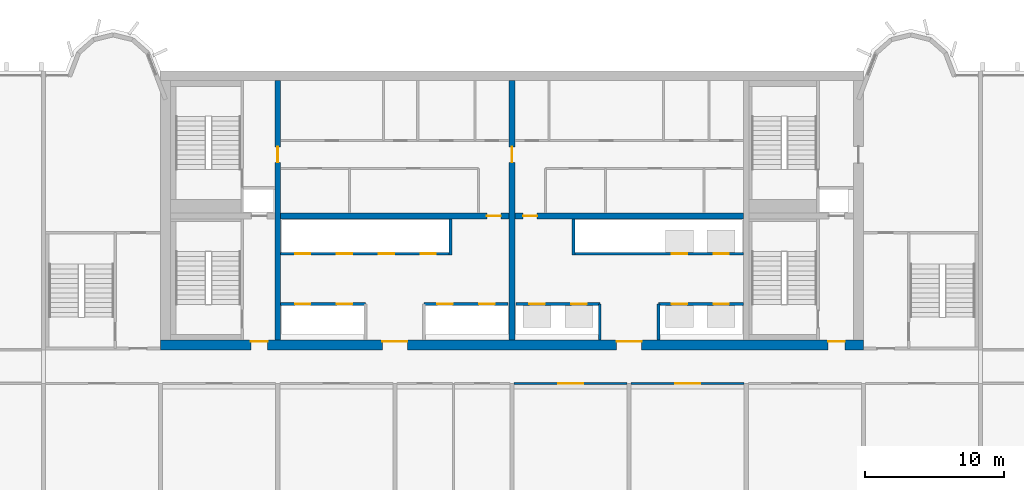
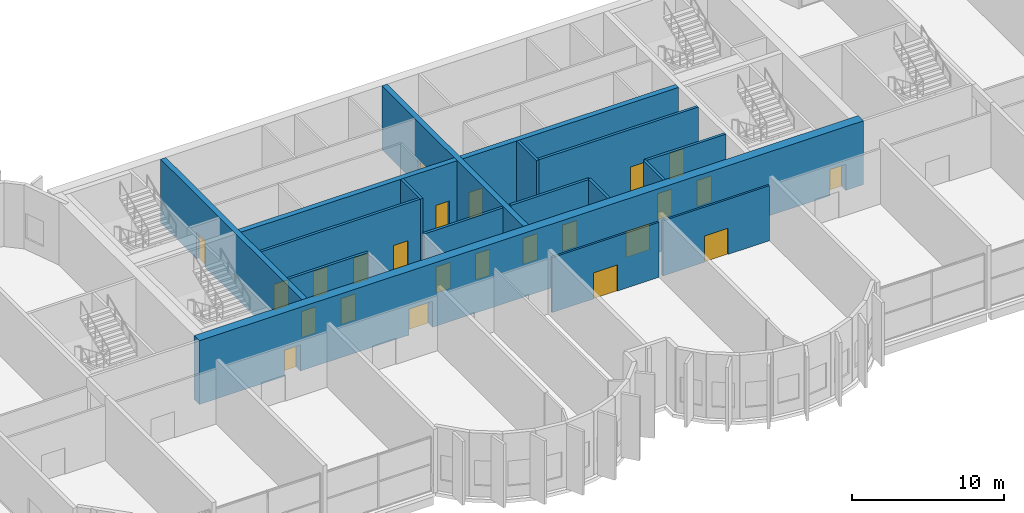
# One storey, part 12 of 19: 24 doors, 17 walls, 24 openings.
"""IFC4 building model written with IfcOpenShell, lengths in metres."""

from ifc_helpers import new_model, si_unit, direction, frame, frame_2d, origin, place, context, subcontext, project, spatial, rectangle, extrude, source, transform, mapped, material, layer, layer_set, type_object, element, fill, save


model = new_model("IFC4")

# Units and contexts
model_context = context("Model", 3, precision=1e-05, world=origin(), true_north=direction((0.0, 1.0)))
body_context = subcontext(model_context, "Body", "Model", "MODEL_VIEW")
ifc_project = project(units=[si_unit("LENGTHUNIT", "METRE"), si_unit("AREAUNIT", "SQUARE_METRE"), si_unit("VOLUMEUNIT", "CUBIC_METRE"), si_unit("PLANEANGLEUNIT", "RADIAN"), si_unit("MASSUNIT", "GRAM", prefix="KILO")], contexts=[model_context])

# Site, building, storey
site_placement = place(None, origin())
site = spatial("IfcSite", under=ifc_project, at=site_placement, CompositionType="ELEMENT")
building_placement = place(site_placement, origin())
building = spatial("IfcBuilding", under=site, at=building_placement, Name="Vanashikhar Sky Hotel", CompositionType="ELEMENT")
storey_placement = place(building_placement, frame((0.0, 0.0, 146.199951171875)))
storey = spatial("IfcBuildingStorey", under=building, at=storey_placement, Name="L35", CompositionType="ELEMENT", Elevation=146.199951171875)

# Wall, opening, door
ifc_material_1 = material(Name="Concrete M60", Category="concrete")
ifc_layer_1 = layer(ifc_material_1, 0.39990234375)
ifc_layer_set_1 = layer_set([ifc_layer_1], Name="RC core inner wall 400 Concrete M60")
wall_type_1 = type_object("IfcWallType", Name="RC core inner wall 400 Concrete M60", PredefinedType="SHEAR", material=ifc_layer_set_1)
shared_shape_1 = source(origin(), body_context, "Body", "SweptSolid", [
    extrude(rectangle(XDim=18.60009765625, YDim=0.39990234375, at=frame_2d((9.300048828125, 0.0))), origin(), (0.0, 0.0, 1.0), 5.1201171875),
])
wall_1_placement = place(storey_placement, frame((33.60009765625, 22.699951171875, 0.0), z_axis=(0.0, 0.0, 1.0), x_axis=(0.0, 1.0, 0.0)))
wall_1 = element("IfcWall", 1, at=wall_1_placement, inside=storey, type_object=wall_type_1, Name="KW-L35-KX1", PredefinedType="SHEAR", context=body_context, shape_type="MappedRepresentation", body=[
    mapped(shared_shape_1, transform((0.0, 0.0, 0.0), scale=1.0)),
])
shared_shape_2 = source(origin(), body_context, "Body", "SweptSolid", [
    extrude(rectangle(XDim=1.10009765625, YDim=2.10009765625, at=frame_2d((0.550048828125, 1.050048828125))), frame((0.0, 0.2099609375, 0.0), z_axis=(0.0, -1.0, 0.0), x_axis=(1.0, 0.0, 0.0)), (0.0, 0.0, 1.0), 0.419921875),
])
opening_1_placement = place(wall_1_placement, frame((12.75, 0.0, 0.0)))
opening_1 = element("IfcOpeningElement", 2, at=opening_1_placement, cuts=wall_1, Name="Opening DC-4-C", PredefinedType="OPENING", context=body_context, shape_type="MappedRepresentation", body=[
    mapped(shared_shape_2, transform((0.0, 0.0, 0.0), scale=1.0)),
])
ifc_material_2 = material(Name="Steel", Category="steel")
door_type_1 = type_object("IfcDoorType", Name="Service door 1100 FD60", OperationType="NOTDEFINED", PredefinedType="DOOR", material=ifc_material_2)
shared_shape_3 = source(origin(), body_context, "Body", "SweptSolid", [
    extrude(rectangle(XDim=1.10009765625, YDim=2.10009765625, at=frame_2d((0.550048828125, 1.050048828125))), frame((0.0, 0.02490234375, 0.0), z_axis=(0.0, -1.0, 0.0), x_axis=(1.0, 0.0, 0.0)), (0.0, 0.0, 1.0), 0.050048828125),
])
door_1_placement = place(opening_1_placement, origin())
door_1 = element("IfcDoor", 3, at=door_1_placement, inside=storey, type_object=door_type_1, Name="Service door 1100 FD60", OperationType="SINGLE_SWING_LEFT", OverallHeight=2.10009765625, OverallWidth=1.10009765625, PredefinedType="DOOR", context=body_context, shape_type="MappedRepresentation", body=[
    mapped(shared_shape_3, transform((0.0, 0.0, 0.0), scale=1.0)),
])
fill(opening_1, door_1)

wall_2_placement = place(storey_placement, frame((50.39990234375, 22.699951171875, 0.0), z_axis=(0.0, 0.0, 1.0), x_axis=(0.0, 1.0, 0.0)))
wall_2 = element("IfcWall", 4, at=wall_2_placement, inside=storey, type_object=wall_type_1, Name="KW-L35-KX2", PredefinedType="SHEAR", context=body_context, shape_type="MappedRepresentation", body=[
    mapped(shared_shape_1, transform((0.0, 0.0, 0.0), scale=1.0)),
])
opening_2_placement = place(wall_2_placement, frame((12.75, 0.0, 0.0)))
opening_2 = element("IfcOpeningElement", 5, at=opening_2_placement, cuts=wall_2, Name="Opening DC-4-C", PredefinedType="OPENING", context=body_context, shape_type="MappedRepresentation", body=[
    mapped(shared_shape_2, transform((0.0, 0.0, 0.0), scale=1.0)),
])
door_2_placement = place(opening_2_placement, origin())
door_2 = element("IfcDoor", 6, at=door_2_placement, inside=storey, type_object=door_type_1, Name="Service door 1100 FD60", OperationType="SINGLE_SWING_RIGHT", OverallHeight=2.10009765625, OverallWidth=1.10009765625, PredefinedType="DOOR", context=body_context, shape_type="MappedRepresentation", body=[
    mapped(shared_shape_3, transform((0.0, 0.0, 0.0), scale=1.0)),
])
fill(opening_2, door_2)

# Wall, openings, doors
ifc_layer_2 = layer(ifc_material_1, 0.699951171875)
ifc_layer_set_2 = layer_set([ifc_layer_2], Name="RC core shell wall 700 Concrete M60")
wall_type_2 = type_object("IfcWallType", Name="RC core shell wall 700 Concrete M60", PredefinedType="SHEAR", material=ifc_layer_set_2)
shared_shape_4 = source(origin(), body_context, "Body", "SweptSolid", [
    extrude(rectangle(XDim=50.400146484375, YDim=0.699951171875, at=frame_2d((25.2001953125, 0.0))), origin(), (0.0, 0.0, 1.0), 5.1201171875),
])
wall_3_placement = place(storey_placement, frame((25.199951171875, 22.35009765625, 0.0), z_axis=(0.0, 0.0, 1.0), x_axis=(1.0, 0.0, 0.0)))
wall_3 = element("IfcWall", 7, at=wall_3_placement, inside=storey, type_object=wall_type_2, Name="KW-L35-KS", PredefinedType="SHEAR", context=body_context, shape_type="MappedRepresentation", body=[
    mapped(shared_shape_4, transform((0.0, 0.0, 0.0), scale=1.0)),
])
shared_shape_5 = source(origin(), body_context, "Body", "SweptSolid", [
    extrude(rectangle(XDim=1.800048828125, YDim=2.10009765625, at=frame_2d((0.89990234375, 1.050048828125))), frame((0.0, 0.35986328125, 0.0), z_axis=(0.0, -1.0, 0.0), x_axis=(1.0, 0.0, 0.0)), (0.0, 0.0, 1.0), 0.719970703125),
])
opening_3_placement = place(wall_3_placement, frame((15.89990234375, 0.0, 0.0)))
opening_3 = element("IfcOpeningElement", 8, at=opening_3_placement, cuts=wall_3, Name="Opening DC-3-A", PredefinedType="OPENING", context=body_context, shape_type="MappedRepresentation", body=[
    mapped(shared_shape_5, transform((0.0, 0.0, 0.0), scale=1.0)),
])
opening_4_placement = place(wall_3_placement, frame((32.699951171875, 0.0, 0.0)))
opening_4 = element("IfcOpeningElement", 9, at=opening_4_placement, cuts=wall_3, Name="Opening DC-3-A", PredefinedType="OPENING", context=body_context, shape_type="MappedRepresentation", body=[
    mapped(shared_shape_5, transform((0.0, 0.0, 0.0), scale=1.0)),
])
shared_shape_6 = source(origin(), body_context, "Body", "SweptSolid", [
    extrude(rectangle(XDim=1.199951171875, YDim=2.10009765625, at=frame_2d((0.60009765625, 1.050048828125))), frame((0.0, 0.35986328125, 0.0), z_axis=(0.0, -1.0, 0.0), x_axis=(1.0, 0.0, 0.0)), (0.0, 0.0, 1.0), 0.719970703125),
])
opening_5_placement = place(wall_3_placement, frame((6.47509765625, 0.0, 0.0)))
opening_5 = element("IfcOpeningElement", 10, at=opening_5_placement, cuts=wall_3, Name="Opening DC-2", PredefinedType="OPENING", context=body_context, shape_type="MappedRepresentation", body=[
    mapped(shared_shape_6, transform((0.0, 0.0, 0.0), scale=1.0)),
])
opening_6_placement = place(wall_3_placement, frame((47.875, 0.0, 0.0)))
opening_6 = element("IfcOpeningElement", 11, at=opening_6_placement, cuts=wall_3, Name="Opening DC-2", PredefinedType="OPENING", context=body_context, shape_type="MappedRepresentation", body=[
    mapped(shared_shape_6, transform((0.0, 0.0, 0.0), scale=1.0)),
])
ifc_material_3 = material(Name="Glass", Category="glass")
door_type_2 = type_object("IfcDoorType", Name="Lift lobby entrance door 1800 FD30S", OperationType="NOTDEFINED", PredefinedType="DOOR", material=ifc_material_3)
shared_shape_7 = source(origin(), body_context, "Body", "SweptSolid", [
    extrude(rectangle(XDim=1.800048828125, YDim=2.10009765625, at=frame_2d((0.89990234375, 1.050048828125))), frame((0.0, 0.27490234375, 0.0), z_axis=(0.0, -1.0, 0.0), x_axis=(1.0, 0.0, 0.0)), (0.0, 0.0, 1.0), 0.050048828125),
])
door_3_placement = place(opening_3_placement, origin())
door_3 = element("IfcDoor", 12, at=door_3_placement, inside=storey, type_object=door_type_2, Name="Lift lobby entrance door 1800 FD30S", OperationType="DOUBLE_DOOR_SINGLE_SWING", OverallHeight=2.10009765625, OverallWidth=1.800048828125, PredefinedType="DOOR", context=body_context, shape_type="MappedRepresentation", body=[
    mapped(shared_shape_7, transform((0.0, 0.0, 0.0), scale=1.0)),
])
fill(opening_3, door_3)
door_4_placement = place(opening_4_placement, origin())
door_4 = element("IfcDoor", 13, at=door_4_placement, inside=storey, type_object=door_type_2, Name="Lift lobby entrance door 1800 FD30S", OperationType="DOUBLE_DOOR_SINGLE_SWING", OverallHeight=2.10009765625, OverallWidth=1.800048828125, PredefinedType="DOOR", context=body_context, shape_type="MappedRepresentation", body=[
    mapped(shared_shape_7, transform((0.0, 0.0, 0.0), scale=1.0)),
])
fill(opening_4, door_4)
door_type_3 = type_object("IfcDoorType", Name="Firefighting lobby door 1200 FD120", OperationType="NOTDEFINED", PredefinedType="DOOR", material=ifc_material_2)
shared_shape_8 = source(origin(), body_context, "Body", "SweptSolid", [
    extrude(rectangle(XDim=1.199951171875, YDim=2.10009765625, at=frame_2d((0.60009765625, 1.050048828125))), frame((0.0, 0.27490234375, 0.0), z_axis=(0.0, -1.0, 0.0), x_axis=(1.0, 0.0, 0.0)), (0.0, 0.0, 1.0), 0.050048828125),
])
door_5_placement = place(opening_5_placement, origin())
door_5 = element("IfcDoor", 14, at=door_5_placement, inside=storey, type_object=door_type_3, Name="Firefighting lobby door 1200 FD120", OperationType="SINGLE_SWING_RIGHT", OverallHeight=2.10009765625, OverallWidth=1.199951171875, PredefinedType="DOOR", context=body_context, shape_type="MappedRepresentation", body=[
    mapped(shared_shape_8, transform((0.0, 0.0, 0.0), scale=1.0)),
])
fill(opening_5, door_5)
door_6_placement = place(opening_6_placement, origin())
door_6 = element("IfcDoor", 15, at=door_6_placement, inside=storey, type_object=door_type_3, Name="Firefighting lobby door 1200 FD120", OperationType="SINGLE_SWING_RIGHT", OverallHeight=2.10009765625, OverallWidth=1.199951171875, PredefinedType="DOOR", context=body_context, shape_type="MappedRepresentation", body=[
    mapped(shared_shape_8, transform((0.0, 0.0, 0.0), scale=1.0)),
])
fill(opening_6, door_6)

# Wall, opening, door
shared_shape_9 = source(origin(), body_context, "Body", "SweptSolid", [
    extrude(rectangle(XDim=16.39990234375, YDim=0.39990234375, at=frame_2d((8.199951171875, 0.0))), origin(), (0.0, 0.0, 1.0), 5.1201171875),
])
wall_4_placement = place(storey_placement, frame((33.800048828125, 31.60009765625, 0.0), z_axis=(0.0, 0.0, 1.0), x_axis=(1.0, 0.0, 0.0)))
wall_4 = element("IfcWall", 16, at=wall_4_placement, inside=storey, type_object=wall_type_1, Name="KW-L35-KY2", PredefinedType="SHEAR", context=body_context, shape_type="MappedRepresentation", body=[
    mapped(shared_shape_9, transform((0.0, 0.0, 0.0), scale=1.0)),
])
shared_shape_10 = source(origin(), body_context, "Body", "SweptSolid", [
    extrude(rectangle(XDim=1.0, YDim=2.10009765625, at=frame_2d((0.5, 1.050048828125))), frame((0.0, 0.2099609375, 0.0), z_axis=(0.0, -1.0, 0.0), x_axis=(1.0, 0.0, 0.0)), (0.0, 0.0, 1.0), 0.419921875),
])
opening_7_placement = place(wall_4_placement, frame((14.800048828125, 0.0, 0.0)))
opening_7 = element("IfcOpeningElement", 17, at=opening_7_placement, cuts=wall_4, Name="Opening DC-4", PredefinedType="OPENING", context=body_context, shape_type="MappedRepresentation", body=[
    mapped(shared_shape_10, transform((0.0, 0.0, 0.0), scale=1.0)),
])
door_type_4 = type_object("IfcDoorType", Name="Service door 1000 FD60", OperationType="NOTDEFINED", PredefinedType="DOOR", material=ifc_material_2)
shared_shape_11 = source(origin(), body_context, "Body", "SweptSolid", [
    extrude(rectangle(XDim=1.0, YDim=2.10009765625, at=frame_2d((0.5, 1.050048828125))), frame((0.0, 0.02490234375, 0.0), z_axis=(0.0, -1.0, 0.0), x_axis=(1.0, 0.0, 0.0)), (0.0, 0.0, 1.0), 0.050048828125),
])
door_7_placement = place(opening_7_placement, origin())
door_7 = element("IfcDoor", 18, at=door_7_placement, inside=storey, type_object=door_type_4, Name="Service door 1000 FD60", OperationType="SINGLE_SWING_LEFT", OverallHeight=2.10009765625, OverallWidth=1.0, PredefinedType="DOOR", context=body_context, shape_type="MappedRepresentation", body=[
    mapped(shared_shape_11, transform((0.0, 0.0, 0.0), scale=1.0)),
])
fill(opening_7, door_7)

wall_5_placement = place(storey_placement, frame((50.60009765625, 31.60009765625, 0.0), z_axis=(0.0, 0.0, 1.0), x_axis=(1.0, 0.0, 0.0)))
wall_5 = element("IfcWall", 19, at=wall_5_placement, inside=storey, type_object=wall_type_1, Name="KW-L35-KY3", PredefinedType="SHEAR", context=body_context, shape_type="MappedRepresentation", body=[
    mapped(shared_shape_9, transform((0.0, 0.0, 0.0), scale=1.0)),
])
opening_8_placement = place(wall_5_placement, frame((0.60009765625, 0.0, 0.0)))
opening_8 = element("IfcOpeningElement", 20, at=opening_8_placement, cuts=wall_5, Name="Opening DC-4", PredefinedType="OPENING", context=body_context, shape_type="MappedRepresentation", body=[
    mapped(shared_shape_10, transform((0.0, 0.0, 0.0), scale=1.0)),
])
door_8_placement = place(opening_8_placement, origin())
door_8 = element("IfcDoor", 21, at=door_8_placement, inside=storey, type_object=door_type_4, Name="Service door 1000 FD60", OperationType="SINGLE_SWING_LEFT", OverallHeight=2.10009765625, OverallWidth=1.0, PredefinedType="DOOR", context=body_context, shape_type="MappedRepresentation", body=[
    mapped(shared_shape_11, transform((0.0, 0.0, 0.0), scale=1.0)),
])
fill(opening_8, door_8)

# Wall, openings, doors
ifc_material_4 = material(Name="Concrete M40", Category="concrete")
ifc_layer_3 = layer(ifc_material_4, 0.199951171875)
ifc_layer_set_3 = layer_set([ifc_layer_3], Name="Shaft wall 200")
wall_type_3 = type_object("IfcWallType", Name="Shaft wall 200", PredefinedType="SOLIDWALL", material=ifc_layer_set_3)
shared_shape_12 = source(origin(), body_context, "Body", "SweptSolid", [
    extrude(rectangle(XDim=6.0, YDim=0.199951171875, at=frame_2d((3.0, 0.0))), origin(), (0.0, 0.0, 1.0), 5.1201171875),
])
wall_6_placement = place(storey_placement, frame((44.10009765625, 25.300048828125, 0.0), z_axis=(0.0, 0.0, 1.0), x_axis=(1.0, 0.0, 0.0)))
wall_6 = element("IfcWall", 22, at=wall_6_placement, inside=storey, type_object=wall_type_3, Name="Shaft wall 200", PredefinedType="SOLIDWALL", context=body_context, shape_type="MappedRepresentation", body=[
    mapped(shared_shape_12, transform((0.0, 0.0, 0.0), scale=1.0)),
])
shared_shape_13 = source(origin(), body_context, "Body", "SweptSolid", [
    extrude(rectangle(XDim=1.10009765625, YDim=2.10009765625, at=frame_2d((0.550048828125, 1.050048828125))), frame((0.0, 0.10986328125, 0.0), z_axis=(0.0, -1.0, 0.0), x_axis=(1.0, 0.0, 0.0)), (0.0, 0.0, 1.0), 0.219970703125),
])
opening_9_placement = place(wall_6_placement, frame((0.949951171875, 0.0, 0.0)))
opening_9 = element("IfcOpeningElement", 23, at=opening_9_placement, cuts=wall_6, Name="Opening LD", PredefinedType="OPENING", context=body_context, shape_type="MappedRepresentation", body=[
    mapped(shared_shape_13, transform((0.0, 0.0, 0.0), scale=1.0)),
])
opening_10_placement = place(wall_6_placement, frame((3.949951171875, 0.0, 0.0)))
opening_10 = element("IfcOpeningElement", 24, at=opening_10_placement, cuts=wall_6, Name="Opening LD", PredefinedType="OPENING", context=body_context, shape_type="MappedRepresentation", body=[
    mapped(shared_shape_13, transform((0.0, 0.0, 0.0), scale=1.0)),
])
ifc_material_5 = material(Name="Stainless steel", Category="steel")
door_type_5 = type_object("IfcDoorType", Name="Lift landing door 1100", OperationType="NOTDEFINED", PredefinedType="DOOR", material=ifc_material_5)
door_9_placement = place(opening_9_placement, origin())
door_9 = element("IfcDoor", 25, at=door_9_placement, inside=storey, type_object=door_type_5, Name="Lift landing door 1100", OperationType="SLIDING_TO_LEFT", OverallHeight=2.10009765625, OverallWidth=1.10009765625, PredefinedType="DOOR", context=body_context, shape_type="MappedRepresentation", body=[
    mapped(shared_shape_3, transform((0.0, 0.0, 0.0), scale=1.0)),
])
fill(opening_9, door_9)
door_10_placement = place(opening_10_placement, origin())
door_10 = element("IfcDoor", 26, at=door_10_placement, inside=storey, type_object=door_type_5, Name="Lift landing door 1100", OperationType="SLIDING_TO_RIGHT", OverallHeight=2.10009765625, OverallWidth=1.10009765625, PredefinedType="DOOR", context=body_context, shape_type="MappedRepresentation", body=[
    mapped(shared_shape_3, transform((0.0, 0.0, 0.0), scale=1.0)),
])
fill(opening_10, door_10)

wall_7_placement = place(storey_placement, frame((56.699951171875, 25.300048828125, 0.0), z_axis=(0.0, 0.0, 1.0), x_axis=(-1.0, 0.0, 0.0)))
wall_7 = element("IfcWall", 27, at=wall_7_placement, inside=storey, type_object=wall_type_3, Name="Shaft wall 200", PredefinedType="SOLIDWALL", context=body_context, shape_type="MappedRepresentation", body=[
    mapped(shared_shape_12, transform((0.0, 0.0, 0.0), scale=1.0)),
])
opening_11_placement = place(wall_7_placement, frame((0.949951171875, 0.0, 0.0)))
opening_11 = element("IfcOpeningElement", 28, at=opening_11_placement, cuts=wall_7, Name="Opening LD", PredefinedType="OPENING", context=body_context, shape_type="MappedRepresentation", body=[
    mapped(shared_shape_13, transform((0.0, 0.0, 0.0), scale=1.0)),
])
opening_12_placement = place(wall_7_placement, frame((3.949951171875, 0.0, 0.0)))
opening_12 = element("IfcOpeningElement", 29, at=opening_12_placement, cuts=wall_7, Name="Opening LD", PredefinedType="OPENING", context=body_context, shape_type="MappedRepresentation", body=[
    mapped(shared_shape_13, transform((0.0, 0.0, 0.0), scale=1.0)),
])
door_11_placement = place(opening_11_placement, origin())
door_11 = element("IfcDoor", 30, at=door_11_placement, inside=storey, type_object=door_type_5, Name="Lift landing door 1100", OperationType="SLIDING_TO_LEFT", OverallHeight=2.10009765625, OverallWidth=1.10009765625, PredefinedType="DOOR", context=body_context, shape_type="MappedRepresentation", body=[
    mapped(shared_shape_3, transform((0.0, 0.0, 0.0), scale=1.0)),
])
fill(opening_11, door_11)
door_12_placement = place(opening_12_placement, origin())
door_12 = element("IfcDoor", 31, at=door_12_placement, inside=storey, type_object=door_type_5, Name="Lift landing door 1100", OperationType="SLIDING_TO_RIGHT", OverallHeight=2.10009765625, OverallWidth=1.10009765625, PredefinedType="DOOR", context=body_context, shape_type="MappedRepresentation", body=[
    mapped(shared_shape_3, transform((0.0, 0.0, 0.0), scale=1.0)),
])
fill(opening_12, door_12)

shared_shape_14 = source(origin(), body_context, "Body", "SweptSolid", [
    extrude(rectangle(XDim=6.099853515625, YDim=0.199951171875, at=frame_2d((3.0498046875, 0.0))), origin(), (0.0, 0.0, 1.0), 5.1201171875),
])
wall_8_placement = place(storey_placement, frame((33.800048828125, 25.300048828125, 0.0), z_axis=(0.0, 0.0, 1.0), x_axis=(1.0, 0.0, 0.0)))
wall_8 = element("IfcWall", 32, at=wall_8_placement, inside=storey, type_object=wall_type_3, Name="Shaft wall 200", PredefinedType="SOLIDWALL", context=body_context, shape_type="MappedRepresentation", body=[
    mapped(shared_shape_14, transform((0.0, 0.0, 0.0), scale=1.0)),
])
opening_13_placement = place(wall_8_placement, frame((1.050048828125, 0.0, 0.0)))
opening_13 = element("IfcOpeningElement", 33, at=opening_13_placement, cuts=wall_8, Name="Opening LD", PredefinedType="OPENING", context=body_context, shape_type="MappedRepresentation", body=[
    mapped(shared_shape_13, transform((0.0, 0.0, 0.0), scale=1.0)),
])
opening_14_placement = place(wall_8_placement, frame((4.050048828125, 0.0, 0.0)))
opening_14 = element("IfcOpeningElement", 34, at=opening_14_placement, cuts=wall_8, Name="Opening LD", PredefinedType="OPENING", context=body_context, shape_type="MappedRepresentation", body=[
    mapped(shared_shape_13, transform((0.0, 0.0, 0.0), scale=1.0)),
])
door_13_placement = place(opening_13_placement, origin())
door_13 = element("IfcDoor", 35, at=door_13_placement, inside=storey, type_object=door_type_5, Name="Lift landing door 1100", OperationType="SLIDING_TO_LEFT", OverallHeight=2.10009765625, OverallWidth=1.10009765625, PredefinedType="DOOR", context=body_context, shape_type="MappedRepresentation", body=[
    mapped(shared_shape_3, transform((0.0, 0.0, 0.0), scale=1.0)),
])
fill(opening_13, door_13)
door_14_placement = place(opening_14_placement, origin())
door_14 = element("IfcDoor", 36, at=door_14_placement, inside=storey, type_object=door_type_5, Name="Lift landing door 1100", OperationType="SLIDING_TO_RIGHT", OverallHeight=2.10009765625, OverallWidth=1.10009765625, PredefinedType="DOOR", context=body_context, shape_type="MappedRepresentation", body=[
    mapped(shared_shape_3, transform((0.0, 0.0, 0.0), scale=1.0)),
])
fill(opening_14, door_14)

shared_shape_15 = source(origin(), body_context, "Body", "SweptSolid", [
    extrude(rectangle(XDim=12.099853515625, YDim=0.199951171875, at=frame_2d((6.0498046875, 0.0))), origin(), (0.0, 0.0, 1.0), 5.1201171875),
])
wall_9_placement = place(storey_placement, frame((33.800048828125, 28.89990234375, 0.0), z_axis=(0.0, 0.0, 1.0), x_axis=(1.0, 0.0, 0.0)))
wall_9 = element("IfcWall", 37, at=wall_9_placement, inside=storey, type_object=wall_type_3, Name="Shaft wall 200", PredefinedType="SOLIDWALL", context=body_context, shape_type="MappedRepresentation", body=[
    mapped(shared_shape_15, transform((0.0, 0.0, 0.0), scale=1.0)),
])
opening_15_placement = place(wall_9_placement, frame((1.050048828125, 0.0, 0.0)))
opening_15 = element("IfcOpeningElement", 38, at=opening_15_placement, cuts=wall_9, Name="Opening LD", PredefinedType="OPENING", context=body_context, shape_type="MappedRepresentation", body=[
    mapped(shared_shape_13, transform((0.0, 0.0, 0.0), scale=1.0)),
])
opening_16_placement = place(wall_9_placement, frame((4.050048828125, 0.0, 0.0)))
opening_16 = element("IfcOpeningElement", 39, at=opening_16_placement, cuts=wall_9, Name="Opening LD", PredefinedType="OPENING", context=body_context, shape_type="MappedRepresentation", body=[
    mapped(shared_shape_13, transform((0.0, 0.0, 0.0), scale=1.0)),
])
opening_17_placement = place(wall_9_placement, frame((7.050048828125, 0.0, 0.0)))
opening_17 = element("IfcOpeningElement", 40, at=opening_17_placement, cuts=wall_9, Name="Opening LD", PredefinedType="OPENING", context=body_context, shape_type="MappedRepresentation", body=[
    mapped(shared_shape_13, transform((0.0, 0.0, 0.0), scale=1.0)),
])
opening_18_placement = place(wall_9_placement, frame((10.050048828125, 0.0, 0.0)))
opening_18 = element("IfcOpeningElement", 41, at=opening_18_placement, cuts=wall_9, Name="Opening LD", PredefinedType="OPENING", context=body_context, shape_type="MappedRepresentation", body=[
    mapped(shared_shape_13, transform((0.0, 0.0, 0.0), scale=1.0)),
])
door_15_placement = place(opening_15_placement, origin())
door_15 = element("IfcDoor", 42, at=door_15_placement, inside=storey, type_object=door_type_5, Name="Lift landing door 1100", OperationType="SLIDING_TO_LEFT", OverallHeight=2.10009765625, OverallWidth=1.10009765625, PredefinedType="DOOR", context=body_context, shape_type="MappedRepresentation", body=[
    mapped(shared_shape_3, transform((0.0, 0.0, 0.0), scale=1.0)),
])
fill(opening_15, door_15)
door_16_placement = place(opening_16_placement, origin())
door_16 = element("IfcDoor", 43, at=door_16_placement, inside=storey, type_object=door_type_5, Name="Lift landing door 1100", OperationType="SLIDING_TO_RIGHT", OverallHeight=2.10009765625, OverallWidth=1.10009765625, PredefinedType="DOOR", context=body_context, shape_type="MappedRepresentation", body=[
    mapped(shared_shape_3, transform((0.0, 0.0, 0.0), scale=1.0)),
])
fill(opening_16, door_16)
door_17_placement = place(opening_17_placement, origin())
door_17 = element("IfcDoor", 44, at=door_17_placement, inside=storey, type_object=door_type_5, Name="Lift landing door 1100", OperationType="SLIDING_TO_LEFT", OverallHeight=2.10009765625, OverallWidth=1.10009765625, PredefinedType="DOOR", context=body_context, shape_type="MappedRepresentation", body=[
    mapped(shared_shape_3, transform((0.0, 0.0, 0.0), scale=1.0)),
])
fill(opening_17, door_17)
door_18_placement = place(opening_18_placement, origin())
door_18 = element("IfcDoor", 45, at=door_18_placement, inside=storey, type_object=door_type_5, Name="Lift landing door 1100", OperationType="SLIDING_TO_RIGHT", OverallHeight=2.10009765625, OverallWidth=1.10009765625, PredefinedType="DOOR", context=body_context, shape_type="MappedRepresentation", body=[
    mapped(shared_shape_3, transform((0.0, 0.0, 0.0), scale=1.0)),
])
fill(opening_18, door_18)

# Walls
shared_shape_16 = source(origin(), body_context, "Body", "SweptSolid", [
    extrude(rectangle(XDim=2.60009765625, YDim=0.199951171875, at=frame_2d((1.300048828125, 0.0))), origin(), (0.0, 0.0, 1.0), 5.1201171875),
])
for number, where, z_axis, x_axis, name in (
    (46, (60.89990234375, 22.699951171875, 0.0), (0.0, 0.0, 1.0), (0.0, 1.0, 0.0), "Shaft wall 200"),
    (47, (56.699951171875, 22.699951171875, 0.0), (0.0, 0.0, 1.0), (0.0, 1.0, 0.0), "Shaft wall 200"),
):
    element("IfcWall", number, at=place(storey_placement, frame(where, z_axis=z_axis, x_axis=x_axis)), inside=storey, type_object=wall_type_3, Name=name, PredefinedType="SOLIDWALL", context=body_context, shape_type="MappedRepresentation", body=[
        mapped(shared_shape_16, transform((0.0, 0.0, 0.0), scale=1.0)),
    ])
shared_shape_17 = source(origin(), body_context, "Body", "SweptSolid", [
    extrude(rectangle(XDim=2.599853515625, YDim=0.199951171875, at=frame_2d((1.2998046875, 0.0))), origin(), (0.0, 0.0, 1.0), 5.1201171875),
])
for number, where, z_axis, x_axis, name in (
    (48, (46.0, 28.800048828125, 0.0), (0.0, 0.0, 1.0), (0.0, 1.0, 0.0), "Shaft wall 200"),
    (49, (54.800048828125, 28.800048828125, 0.0), (0.0, 0.0, 1.0), (0.0, 1.0, 0.0), "Shaft wall 200"),
):
    element("IfcWall", number, at=place(storey_placement, frame(where, z_axis=z_axis, x_axis=x_axis)), inside=storey, type_object=wall_type_3, Name=name, PredefinedType="SOLIDWALL", context=body_context, shape_type="MappedRepresentation", body=[
        mapped(shared_shape_17, transform((0.0, 0.0, 0.0), scale=1.0)),
    ])

# Wall, openings, doors
shared_shape_18 = source(origin(), body_context, "Body", "SweptSolid", [
    extrude(rectangle(XDim=6.10009765625, YDim=0.199951171875, at=frame_2d((3.050048828125, 0.0))), origin(), (0.0, 0.0, 1.0), 5.1201171875),
])
wall_10_placement = place(storey_placement, frame((67.0, 25.300048828125, 0.0), z_axis=(0.0, 0.0, 1.0), x_axis=(-1.0, 0.0, 0.0)))
wall_10 = element("IfcWall", 50, at=wall_10_placement, inside=storey, type_object=wall_type_3, Name="Shaft wall 200", PredefinedType="SOLIDWALL", context=body_context, shape_type="MappedRepresentation", body=[
    mapped(shared_shape_18, transform((0.0, 0.0, 0.0), scale=1.0)),
])
opening_19_placement = place(wall_10_placement, frame((1.050048828125, 0.0, 0.0)))
opening_19 = element("IfcOpeningElement", 51, at=opening_19_placement, cuts=wall_10, Name="Opening LD", PredefinedType="OPENING", context=body_context, shape_type="MappedRepresentation", body=[
    mapped(shared_shape_13, transform((0.0, 0.0, 0.0), scale=1.0)),
])
opening_20_placement = place(wall_10_placement, frame((4.050048828125, 0.0, 0.0)))
opening_20 = element("IfcOpeningElement", 52, at=opening_20_placement, cuts=wall_10, Name="Opening LD", PredefinedType="OPENING", context=body_context, shape_type="MappedRepresentation", body=[
    mapped(shared_shape_13, transform((0.0, 0.0, 0.0), scale=1.0)),
])
door_19_placement = place(opening_19_placement, origin())
door_19 = element("IfcDoor", 53, at=door_19_placement, inside=storey, type_object=door_type_5, Name="Lift landing door 1100", OperationType="SLIDING_TO_LEFT", OverallHeight=2.10009765625, OverallWidth=1.10009765625, PredefinedType="DOOR", context=body_context, shape_type="MappedRepresentation", body=[
    mapped(shared_shape_3, transform((0.0, 0.0, 0.0), scale=1.0)),
])
fill(opening_19, door_19)
door_20_placement = place(opening_20_placement, origin())
door_20 = element("IfcDoor", 54, at=door_20_placement, inside=storey, type_object=door_type_5, Name="Lift landing door 1100", OperationType="SLIDING_TO_RIGHT", OverallHeight=2.10009765625, OverallWidth=1.10009765625, PredefinedType="DOOR", context=body_context, shape_type="MappedRepresentation", body=[
    mapped(shared_shape_3, transform((0.0, 0.0, 0.0), scale=1.0)),
])
fill(opening_20, door_20)

shared_shape_19 = source(origin(), body_context, "Body", "SweptSolid", [
    extrude(rectangle(XDim=12.10009765625, YDim=0.199951171875, at=frame_2d((6.050048828125, 0.0))), origin(), (0.0, 0.0, 1.0), 5.1201171875),
])
wall_11_placement = place(storey_placement, frame((67.0, 28.89990234375, 0.0), z_axis=(0.0, 0.0, 1.0), x_axis=(-1.0, 0.0, 0.0)))
wall_11 = element("IfcWall", 55, at=wall_11_placement, inside=storey, type_object=wall_type_3, Name="Shaft wall 200", PredefinedType="SOLIDWALL", context=body_context, shape_type="MappedRepresentation", body=[
    mapped(shared_shape_19, transform((0.0, 0.0, 0.0), scale=1.0)),
])
opening_21_placement = place(wall_11_placement, frame((1.050048828125, 0.0, 0.0)))
opening_21 = element("IfcOpeningElement", 56, at=opening_21_placement, cuts=wall_11, Name="Opening LD", PredefinedType="OPENING", context=body_context, shape_type="MappedRepresentation", body=[
    mapped(shared_shape_13, transform((0.0, 0.0, 0.0), scale=1.0)),
])
opening_22_placement = place(wall_11_placement, frame((4.050048828125, 0.0, 0.0)))
opening_22 = element("IfcOpeningElement", 57, at=opening_22_placement, cuts=wall_11, Name="Opening LD", PredefinedType="OPENING", context=body_context, shape_type="MappedRepresentation", body=[
    mapped(shared_shape_13, transform((0.0, 0.0, 0.0), scale=1.0)),
])
door_21_placement = place(opening_21_placement, origin())
door_21 = element("IfcDoor", 58, at=door_21_placement, inside=storey, type_object=door_type_5, Name="Lift landing door 1100", OperationType="SLIDING_TO_LEFT", OverallHeight=2.10009765625, OverallWidth=1.10009765625, PredefinedType="DOOR", context=body_context, shape_type="MappedRepresentation", body=[
    mapped(shared_shape_3, transform((0.0, 0.0, 0.0), scale=1.0)),
])
fill(opening_21, door_21)
door_22_placement = place(opening_22_placement, origin())
door_22 = element("IfcDoor", 59, at=door_22_placement, inside=storey, type_object=door_type_5, Name="Lift landing door 1100", OperationType="SLIDING_TO_RIGHT", OverallHeight=2.10009765625, OverallWidth=1.10009765625, PredefinedType="DOOR", context=body_context, shape_type="MappedRepresentation", body=[
    mapped(shared_shape_3, transform((0.0, 0.0, 0.0), scale=1.0)),
])
fill(opening_22, door_22)

# Wall, opening, door
ifc_material_6 = material(Name="Gypsum plasterboard partition")
ifc_layer_4 = layer(ifc_material_6, 0.14990234375)
ifc_layer_set_4 = layer_set([ifc_layer_4], Name="Corridor and demising partition 150")
wall_type_4 = type_object("IfcWallType", Name="Corridor and demising partition 150", PredefinedType="PARTITIONING", material=ifc_layer_set_4)
shared_shape_20 = source(origin(), body_context, "Body", "SweptSolid", [
    extrude(rectangle(XDim=8.10009765625, YDim=0.14990234375, at=frame_2d((4.050048828125, 0.0))), origin(), (0.0, 0.0, 1.0), 4.420166015625),
])
wall_12_placement = place(storey_placement, frame((58.949951171875, 19.60009765625, 0.0), z_axis=(0.0, 0.0, 1.0), x_axis=(1.0, 0.0, 0.0)))
wall_12 = element("IfcWall", 60, at=wall_12_placement, inside=storey, type_object=wall_type_4, Name="W-L35-PW009", PredefinedType="PARTITIONING", context=body_context, shape_type="MappedRepresentation", body=[
    mapped(shared_shape_20, transform((0.0, 0.0, 0.0), scale=1.0)),
])
shared_shape_21 = source(origin(), body_context, "Body", "SweptSolid", [
    extrude(rectangle(XDim=1.800048828125, YDim=2.10009765625, at=frame_2d((0.89990234375, 1.050048828125))), frame((0.0, 0.0849609375, 0.0), z_axis=(0.0, -1.0, 0.0), x_axis=(1.0, 0.0, 0.0)), (0.0, 0.0, 1.0), 0.169921875),
])
opening_23_placement = place(wall_12_placement, frame((3.14990234375, 0.0, 0.0)))
opening_23 = element("IfcOpeningElement", 61, at=opening_23_placement, cuts=wall_12, Name="Opening D-03", PredefinedType="OPENING", context=body_context, shape_type="MappedRepresentation", body=[
    mapped(shared_shape_21, transform((0.0, 0.0, 0.0), scale=1.0)),
])
ifc_material_7 = material(Name="Timber fire door", Category="wood")
door_type_6 = type_object("IfcDoorType", Name="Double leaf door 1800 FD30S", OperationType="NOTDEFINED", PredefinedType="DOOR", material=ifc_material_7)
shared_shape_22 = source(origin(), body_context, "Body", "SweptSolid", [
    extrude(rectangle(XDim=1.800048828125, YDim=2.10009765625, at=frame_2d((0.89990234375, 1.050048828125))), frame((0.0, 0.02490234375, 0.0), z_axis=(0.0, -1.0, 0.0), x_axis=(1.0, 0.0, 0.0)), (0.0, 0.0, 1.0), 0.050048828125),
])
door_23_placement = place(opening_23_placement, origin())
door_23 = element("IfcDoor", 62, at=door_23_placement, inside=storey, type_object=door_type_6, Name="D-L35-008", OperationType="DOUBLE_DOOR_SINGLE_SWING", OverallHeight=2.10009765625, OverallWidth=1.800048828125, PredefinedType="DOOR", context=body_context, shape_type="MappedRepresentation", body=[
    mapped(shared_shape_22, transform((0.0, 0.0, 0.0), scale=1.0)),
])
fill(opening_23, door_23)

shared_shape_23 = source(origin(), body_context, "Body", "SweptSolid", [
    extrude(rectangle(XDim=8.099853515625, YDim=0.14990234375, at=frame_2d((4.0498046875, 0.0))), origin(), (0.0, 0.0, 1.0), 4.420166015625),
])
wall_13_placement = place(storey_placement, frame((50.550048828125, 19.60009765625, 0.0), z_axis=(0.0, 0.0, 1.0), x_axis=(1.0, 0.0, 0.0)))
wall_13 = element("IfcWall", 63, at=wall_13_placement, inside=storey, type_object=wall_type_4, Name="W-L35-PW008", PredefinedType="PARTITIONING", context=body_context, shape_type="MappedRepresentation", body=[
    mapped(shared_shape_23, transform((0.0, 0.0, 0.0), scale=1.0)),
])
opening_24_placement = place(wall_13_placement, frame((3.14990234375, 0.0, 0.0)))
opening_24 = element("IfcOpeningElement", 64, at=opening_24_placement, cuts=wall_13, Name="Opening D-03", PredefinedType="OPENING", context=body_context, shape_type="MappedRepresentation", body=[
    mapped(shared_shape_21, transform((0.0, 0.0, 0.0), scale=1.0)),
])
door_24_placement = place(opening_24_placement, origin())
door_24 = element("IfcDoor", 65, at=door_24_placement, inside=storey, type_object=door_type_6, Name="D-L35-007", OperationType="DOUBLE_DOOR_SINGLE_SWING", OverallHeight=2.10009765625, OverallWidth=1.800048828125, PredefinedType="DOOR", context=body_context, shape_type="MappedRepresentation", body=[
    mapped(shared_shape_22, transform((0.0, 0.0, 0.0), scale=1.0)),
])
fill(opening_24, door_24)

save(model, "model.ifc")
